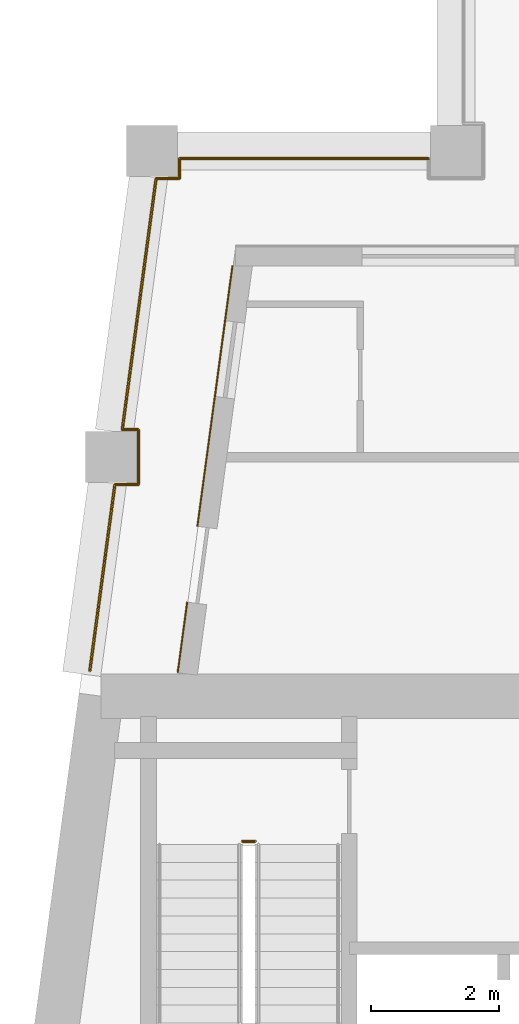
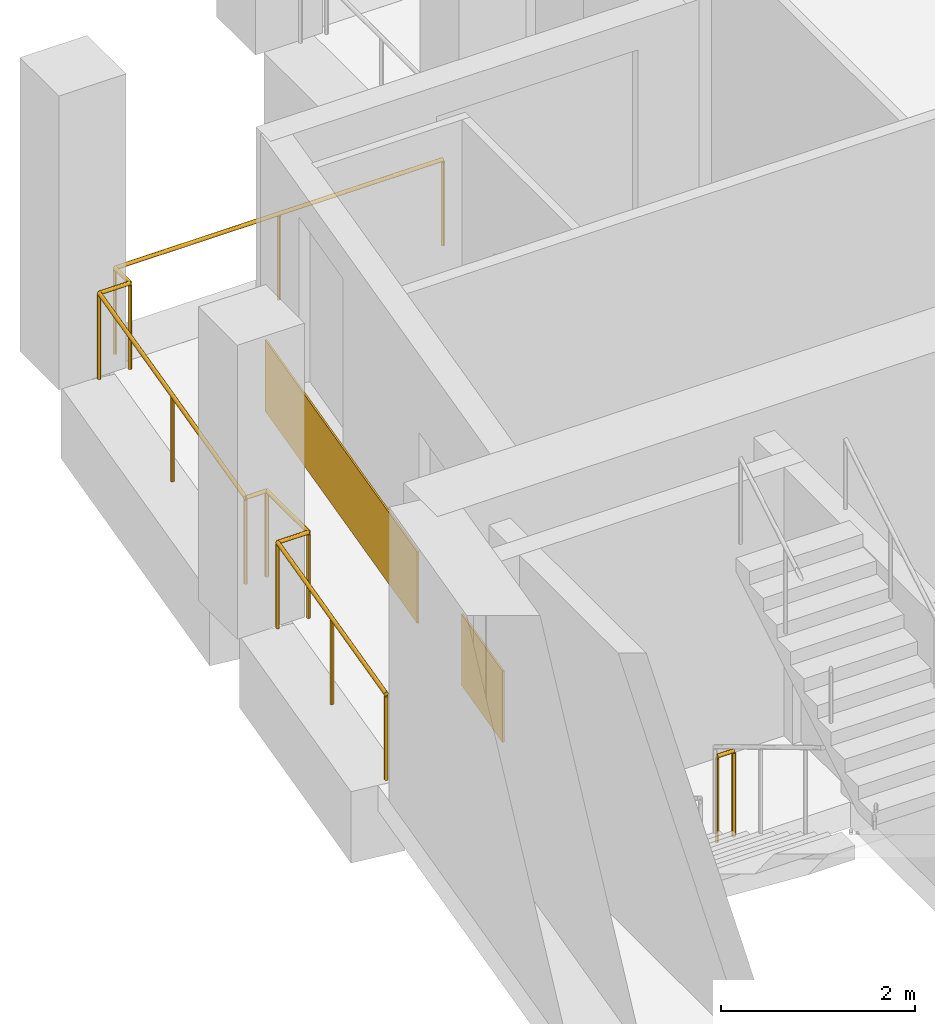
# One storey, part 10 of 14: 2 coverings, 2 railings.
"""IFC4 building model written with IfcOpenShell, lengths in metres."""

import ifcopenshell
import ifcopenshell.guid

model = None  # the IFC model being written
_history = None  # IfcOwnerHistory: only IFC2X3 demands one
_inside = {}  # id of a spatial element -> (the spatial element, [elements in it])
_under = {}  # id of a project, library or spatial element -> (it, [spatial elements below it])
_declared = {}  # id of a project -> (the project, [libraries it declares])
_typed = {}  # id of a type object -> (the type object, [elements of that type])
_made_of = {}  # id of a material, layer set ... -> (it, [elements and type objects made of it])


def new_model(schema):
    """Start an empty IFC model of exactly this schema.

    Asked for "IFC4X3", IfcOpenShell would pick the latest addendum, in which some entities
    have other attributes; the version numbers below select the first issue.
    IFC2X3 requires an IfcOwnerHistory on every rooted entity: one is made here for all.
    """
    global model, _history
    if schema == "IFC4X3":
        model = ifcopenshell.file(schema_version=(4, 3, 0, 0))
    else:
        model = ifcopenshell.file(schema=schema)
    _inside.clear()
    _under.clear()
    _declared.clear()
    _typed.clear()
    _made_of.clear()
    _history = None
    if model.schema == "IFC2X3":
        org = make("IfcOrganization", Name="unknown")
        user = make(
            "IfcPersonAndOrganization",
            ThePerson=make("IfcPerson", FamilyName="unknown"),
            TheOrganization=org,
        )
        app = make(
            "IfcApplication",
            ApplicationDeveloper=org,
            Version="unknown",
            ApplicationFullName="unknown",
            ApplicationIdentifier="unknown",
        )
        _history = make(
            "IfcOwnerHistory",
            OwningUser=user,
            OwningApplication=app,
            ChangeAction="ADDED",
            CreationDate=0,
        )
    return model


def make(cls, **values):
    """One entity of the class cls with the attributes given. An attribute that is None is left unset."""
    return model.create_entity(
        cls, **{name: value for name, value in values.items() if value is not None}
    )


def rooted(cls, **values):
    """An entity with a GlobalId (a new one), such as an element, a storey or a relation."""
    return make(cls, GlobalId=ifcopenshell.guid.new(), OwnerHistory=_history, **values)


def si_unit(unit_type, name, prefix=None):
    """IfcSIUnit, for example si_unit("LENGTHUNIT", "METRE", prefix="MILLI")."""
    return make("IfcSIUnit", UnitType=unit_type, Prefix=prefix, Name=name)


def assignment(units):
    """IfcUnitAssignment: the units of a project."""
    return None if units is None else make("IfcUnitAssignment", Units=units)


def point(xyz):
    """IfcCartesianPoint."""
    return None if xyz is None else make("IfcCartesianPoint", Coordinates=xyz)


def direction(xyz):
    """IfcDirection."""
    return None if xyz is None else make("IfcDirection", DirectionRatios=xyz)


def frame(location, z_axis=None, x_axis=None):
    """IfcAxis2Placement3D, a coordinate frame: its origin and axes. An axis left out is left unset."""
    return make(
        "IfcAxis2Placement3D",
        Location=point(location),
        Axis=direction(z_axis),
        RefDirection=direction(x_axis),
    )


def frame_2d(location, x_axis=None):
    """IfcAxis2Placement2D, a coordinate frame in the plane: its origin and x axis."""
    return make(
        "IfcAxis2Placement2D", Location=point(location), RefDirection=direction(x_axis)
    )


def origin():
    """The frame at (0, 0, 0) with its axes left unset."""
    return frame((0.0, 0.0, 0.0))


def origin_2d():
    """The frame at (0, 0) in the plane with its x axis left unset."""
    return frame_2d((0.0, 0.0))


def place(relative_to, where):
    """IfcLocalPlacement: puts the frame where relative to a parent placement (None: the world)."""
    return make(
        "IfcLocalPlacement", PlacementRelTo=relative_to, RelativePlacement=where
    )


def context(
    kind, dimensions, precision=None, world=None, true_north=None, identifier=None
):
    """IfcGeometricRepresentationContext, for example the 3D "Model" context."""
    return make(
        "IfcGeometricRepresentationContext",
        ContextIdentifier=identifier,
        ContextType=kind,
        CoordinateSpaceDimension=dimensions,
        Precision=precision,
        WorldCoordinateSystem=world,
        TrueNorth=true_north,
    )


def subcontext(parent, identifier, kind, view, scale=None):
    """IfcGeometricRepresentationSubContext, for example "Body" below "Model"."""
    return make(
        "IfcGeometricRepresentationSubContext",
        ContextIdentifier=identifier,
        ContextType=kind,
        ParentContext=parent,
        TargetScale=scale,
        TargetView=view,
    )


def project(units=None, contexts=None):
    """IfcProject with its units and contexts."""
    return rooted(
        "IfcProject",
        Name="project",
        RepresentationContexts=contexts,
        UnitsInContext=assignment(units),
    )


def spatial(cls, under=None, at=None, **own):
    """A site, building, storey or space (cls), placed at a placement, below another one or the project."""
    s = rooted(cls, ObjectPlacement=at, **own)
    if under is not None:
        _under.setdefault(under.id(), (under, []))[1].append(s)
    return s


def profile(cls, at=None, kind="AREA", **sizes):
    """A parametric profile (cls). Its sizes go by their IFC names, for example OverallWidth=200.0."""
    return make(cls, ProfileType=kind, Position=at, **sizes)


def rectangle(**sizes):
    """IfcRectangleProfileDef."""
    return profile("IfcRectangleProfileDef", **sizes)


def circle(**sizes):
    """IfcCircleProfileDef."""
    return profile("IfcCircleProfileDef", **sizes)


def extrude(swept, where, along, depth):
    """IfcExtrudedAreaSolid: the profile swept, set in the frame where, extruded along a direction by depth."""
    return make(
        "IfcExtrudedAreaSolid",
        SweptArea=swept,
        Position=where,
        ExtrudedDirection=direction(along),
        Depth=depth,
    )


def shape(context_of_items, identifier, shape_type, items):
    """IfcShapeRepresentation: the items that make up one representation, for example the "Body"."""
    return make(
        "IfcShapeRepresentation",
        ContextOfItems=context_of_items,
        RepresentationIdentifier=identifier,
        RepresentationType=shape_type,
        Items=items,
    )


def material(Name=None, Category=None):
    """IfcMaterial."""
    return make("IfcMaterial", Name=Name, Category=Category)


def layer(
    of_material, thickness, ventilated=None, Name=None, Category=None, Priority=None
):
    """IfcMaterialLayer: one layer of a wall or slab, of a material (None: an air gap)."""
    return make(
        "IfcMaterialLayer",
        Material=of_material,
        LayerThickness=thickness,
        IsVentilated=ventilated,
        Name=Name,
        Category=Category,
        Priority=Priority,
    )


def layer_set(layers, Name=None):
    """IfcMaterialLayerSet."""
    return make("IfcMaterialLayerSet", MaterialLayers=layers, LayerSetName=Name)


def made_of(thing, what):
    """Note that an element or type object is made of a material, layer set ...; save() writes the relation."""
    if what is not None:
        _made_of.setdefault(what.id(), (what, []))[1].append(thing)
    return thing


def type_object(cls, material=None, **own):
    """A type object (cls), such as IfcWallType, which elements share."""
    return made_of(rooted(cls, **own), material)


def element(
    cls,
    number,
    at=None,
    inside=None,
    cuts=None,
    type_object=None,
    material=None,
    context=None,
    identifier="Body",
    shape_type=None,
    held_by="IfcProductDefinitionShape",
    body=None,
    shapes=None,
    **own,
):
    """One element of the class cls, such as IfcWall. Its Tag is "e" and its number.

    at: its placement. inside: the storey or other place that contains it. cuts: it is an
    opening in that element (IfcRelVoidsElement). A single representation is given by context,
    identifier, shape_type and body (its items); several are given by shapes. held_by: the class
    of the entity that holds the representations. save() writes the other relations.
    """
    e = rooted(cls, Tag="e%d" % number, ObjectPlacement=at, **own)
    if body is not None:
        shapes = [shape(context, identifier, shape_type, body)]
    if shapes is not None:
        e.Representation = make(held_by, Representations=shapes)
    if inside is not None:
        _inside.setdefault(inside.id(), (inside, []))[1].append(e)
    if cuts is not None:
        rooted(
            "IfcRelVoidsElement", RelatingBuildingElement=cuts, RelatedOpeningElement=e
        )
    if type_object is not None:
        _typed.setdefault(type_object.id(), (type_object, []))[1].append(e)
    return made_of(e, material)


def aggregate(whole, parts):
    """IfcRelAggregates: a whole, such as a stair, and the parts it consists of."""
    return rooted("IfcRelAggregates", RelatingObject=whole, RelatedObjects=parts)


def save(model, path):
    """Write the relations noted so far, then the file.

    IfcRelAggregates (storeys below a building ...), IfcRelContainedInSpatialStructure (elements
    in a storey), IfcRelDefinesByType, IfcRelAssociatesMaterial and IfcRelDeclares: one each for
    every whole, place, type object, material and project.
    """
    for whole, parts in _under.values():
        aggregate(whole, parts)
    for where, things in _inside.values():
        rooted(
            "IfcRelContainedInSpatialStructure",
            RelatedElements=things,
            RelatingStructure=where,
        )
    for kind, things in _typed.values():
        rooted("IfcRelDefinesByType", RelatedObjects=things, RelatingType=kind)
    for what, things in _made_of.values():
        rooted("IfcRelAssociatesMaterial", RelatedObjects=things, RelatingMaterial=what)
    for by, libraries in _declared.values():
        rooted("IfcRelDeclares", RelatingContext=by, RelatedDefinitions=libraries)
    model.write(path)


model = new_model("IFC4")

# Units and contexts
model_context = context("Model", 3, precision=1e-05, world=origin(), true_north=direction((0.0, 1.0)))
body_context = subcontext(model_context, "Body", "Model", "MODEL_VIEW")
ifc_project = project(units=[si_unit("LENGTHUNIT", "METRE"), si_unit("AREAUNIT", "SQUARE_METRE"), si_unit("VOLUMEUNIT", "CUBIC_METRE"), si_unit("PLANEANGLEUNIT", "RADIAN"), si_unit("MASSUNIT", "GRAM", prefix="KILO")], contexts=[model_context])

# Site, building, storey
site_placement = place(None, origin())
site = spatial("IfcSite", under=ifc_project, at=site_placement, CompositionType="ELEMENT")
building_placement = place(site_placement, origin())
building = spatial("IfcBuilding", under=site, at=building_placement, Name="Candeia Pilgrim Tower and Theatre", CompositionType="ELEMENT")
storey_placement = place(building_placement, frame((0.0, 0.0, 273.800048828125)))
storey = spatial("IfcBuildingStorey", under=building, at=storey_placement, Name="L66", CompositionType="ELEMENT", Elevation=273.800048828125)

# Railing
ifc_material_1 = material(Name="Stainless steel balustrade", Category="steel")
railing_type_1 = type_object("IfcRailingType", Name="G1 loggia guard 1100", PredefinedType="GUARDRAIL", material=ifc_material_1)
railing_1_placement = place(storey_placement, frame((88.758544921875, 132.449951171875, 0.0)))
element("IfcRailing", 1, at=railing_1_placement, inside=storey, type_object=railing_type_1, Name="Guard L66.4", PredefinedType="GUARDRAIL", context=body_context, shape_type="SweptSolid", body=[
    extrude(circle(Radius=0.02392578125, at=origin_2d()), frame((0.0, 0.0, 1.076171875), z_axis=(0.133401056725, 0.991062136329, 0.0), x_axis=(-0.991062136329, 0.133401056725, 0.0)), (0.0, 0.0, 1.0), 2.946533203125),
    extrude(circle(Radius=0.02392578125, at=origin_2d()), frame((0.39306640625, 2.920166015625, 1.076171875), z_axis=(1.0, 0.0, 0.0), x_axis=(0.0, 1.0, 0.0)), (0.0, 0.0, 1.0), 0.366943359375),
    extrude(circle(Radius=0.02392578125, at=origin_2d()), frame((0.760009765625, 2.920166015625, 1.076171875), z_axis=(0.0, 1.0, 0.0), x_axis=(-1.0, 0.0, 0.0)), (0.0, 0.0, 1.0), 0.85986328125),
    extrude(circle(Radius=0.02392578125, at=origin_2d()), frame((0.760009765625, 3.780029296875, 1.076171875), z_axis=(-1.0, 0.0, 0.0), x_axis=(0.0, -1.0, 0.0)), (0.0, 0.0, 1.0), 0.251220703125),
    extrude(circle(Radius=0.02392578125, at=origin_2d()), frame((0.5087890625, 3.780029296875, 1.076171875), z_axis=(0.133446811067, 0.99105597653, 0.0), x_axis=(-0.99105597653, 0.133446811067, 0.0)), (0.0, 0.0, 1.0), 3.9755859375),
    extrude(circle(Radius=0.02392578125, at=origin_2d()), frame((1.039306640625, 7.719970703125, 1.076171875), z_axis=(1.0, 0.0, 0.0), x_axis=(0.0, 1.0, 0.0)), (0.0, 0.0, 1.0), 0.36669921875),
    extrude(circle(Radius=0.02392578125, at=origin_2d()), frame((1.406005859375, 7.719970703125, 1.076171875), z_axis=(0.0, 1.0, 0.0), x_axis=(-1.0, 0.0, 0.0)), (0.0, 0.0, 1.0), 0.31005859375),
    extrude(circle(Radius=0.02392578125, at=origin_2d()), frame((1.406005859375, 8.030029296875, 1.076171875), z_axis=(1.0, 0.0, 0.0), x_axis=(0.0, 1.0, 0.0)), (0.0, 0.0, 1.0), 3.905517578125),
    extrude(circle(Radius=0.02099609375, at=origin_2d()), origin(), (0.0, 0.0, 1.0), 1.052001953125),
    extrude(circle(Radius=0.02099609375, at=origin_2d()), frame((0.196533203125, 1.4599609375, 0.0)), (0.0, 0.0, 1.0), 1.052001953125),
    extrude(circle(Radius=0.02099609375, at=origin_2d()), frame((0.39306640625, 2.920166015625, 0.0)), (0.0, 0.0, 1.0), 1.052001953125),
    extrude(circle(Radius=0.02099609375, at=origin_2d()), frame((0.760009765625, 2.920166015625, 0.0)), (0.0, 0.0, 1.0), 1.052001953125),
    extrude(circle(Radius=0.02099609375, at=origin_2d()), frame((0.760009765625, 3.780029296875, 0.0)), (0.0, 0.0, 1.0), 1.052001953125),
    extrude(circle(Radius=0.02099609375, at=origin_2d()), frame((0.5087890625, 3.780029296875, 0.0)), (0.0, 0.0, 1.0), 1.052001953125),
    extrude(circle(Radius=0.02099609375, at=origin_2d()), frame((0.77392578125, 5.75, 0.0)), (0.0, 0.0, 1.0), 1.052001953125),
    extrude(circle(Radius=0.02099609375, at=origin_2d()), frame((1.039306640625, 7.719970703125, 0.0)), (0.0, 0.0, 1.0), 1.052001953125),
    extrude(circle(Radius=0.02099609375, at=origin_2d()), frame((1.406005859375, 7.719970703125, 0.0)), (0.0, 0.0, 1.0), 1.052001953125),
    extrude(circle(Radius=0.02099609375, at=origin_2d()), frame((1.406005859375, 8.030029296875, 0.0)), (0.0, 0.0, 1.0), 1.052001953125),
    extrude(circle(Radius=0.02099609375, at=origin_2d()), frame((3.35888671875, 8.030029296875, 0.0)), (0.0, 0.0, 1.0), 1.052001953125),
    extrude(circle(Radius=0.02099609375, at=origin_2d()), frame((5.3115234375, 8.030029296875, 0.0)), (0.0, 0.0, 1.0), 1.052001953125),
])

# Coverings
ifc_material_2 = material(Name="Glazed ceramic tile bottle green")
ifc_layer = layer(ifc_material_2, 0.02001953125)
ifc_layer_set = layer_set([ifc_layer], Name="Glazed ceramic tile bottle green")
covering_type = type_object("IfcCoveringType", Name="Glazed ceramic tile bottle green", PredefinedType="CLADDING", material=ifc_layer_set)
covering_1_placement = place(storey_placement, frame((90.720947265625, 136.759521484375, 0.0), z_axis=(0.0, 0.0, 1.0), x_axis=(-0.133412012145, -0.991060661622, 0.0)))
element("IfcCovering", 2, at=covering_1_placement, inside=storey, type_object=covering_type, Name="Tile cladding bottle green L66", PredefinedType="CLADDING", context=body_context, shape_type="SweptSolid", body=[
    extrude(rectangle(XDim=4.123779296875, YDim=0.02001953125, at=origin_2d()), origin(), (0.0, 0.0, 1.0), 0.89990234375),
])
covering_2_placement = place(storey_placement, frame((90.21142578125, 132.97412109375, 0.0), z_axis=(0.0, 0.0, 1.0), x_axis=(-0.133412012145, -0.991060661622, 0.0)))
element("IfcCovering", 3, at=covering_2_placement, inside=storey, type_object=covering_type, Name="Tile cladding bottle green L66", PredefinedType="CLADDING", context=body_context, shape_type="SweptSolid", body=[
    extrude(rectangle(XDim=1.115234375, YDim=0.02001953125, at=origin_2d()), origin(), (0.0, 0.0, 1.0), 0.89990234375),
])

# Railing
railing_type_2 = type_object("IfcRailingType", Name="RL-GUARD-1100", PredefinedType="GUARDRAIL", material=ifc_material_1)
railing_2_placement = place(storey_placement, frame((91.152099609375, 129.77490234375, 0.0)))
element("IfcRailing", 4, at=railing_2_placement, inside=storey, type_object=railing_type_2, Name="L66 ST2 stair guard 2", PredefinedType="GUARDRAIL", context=body_context, shape_type="SweptSolid", body=[
    extrude(circle(Radius=0.02392578125, at=origin_2d()), frame((0.0, 0.0, 1.076171875), z_axis=(1.0, 0.0, 0.0), x_axis=(0.0, 1.0, 0.0)), (0.0, 0.0, 1.0), 0.199951171875),
    extrude(circle(Radius=0.02099609375, at=origin_2d()), origin(), (0.0, 0.0, 1.0), 1.052001953125),
    extrude(circle(Radius=0.02099609375, at=origin_2d()), frame((0.199951171875, 0.0, 0.0)), (0.0, 0.0, 1.0), 1.052001953125),
])

save(model, "model.ifc")
